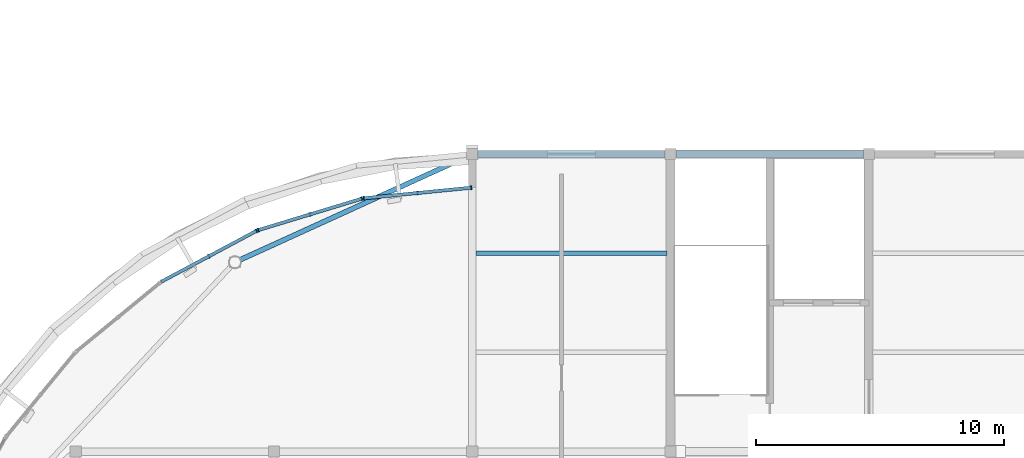
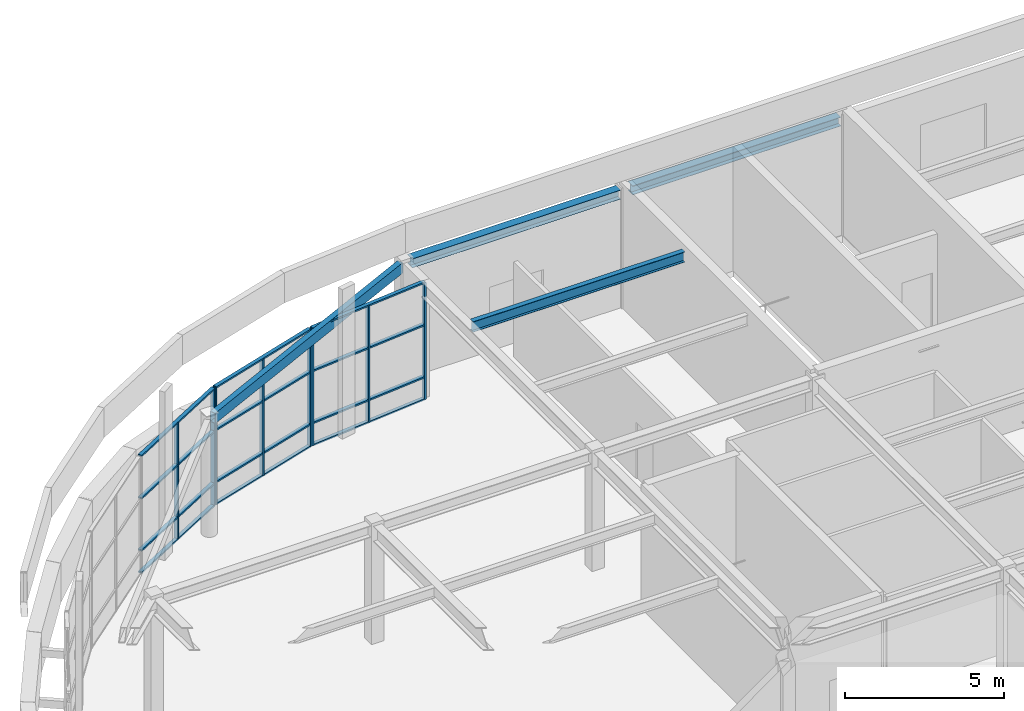
# One storey, part 19 of 63: 20 members, 4 beams, 3 elements without a shape of their own.
"""IFC4 building model written with IfcOpenShell, lengths in metres."""

from ifc_helpers import new_model, si_unit, direction, frame, origin, origin_2d, place, context, subcontext, project, spatial, rectangle, hollow_rectangle, i_section, extrude, material, layer, layer_set, material_profile, profile_set, type_object, element, aggregate, save


model = new_model("IFC4")

# Units and contexts
model_context = context("Model", 3, precision=1e-05, world=origin(), true_north=direction((0.0, 1.0)))
body_context = subcontext(model_context, "Body", "Model", "MODEL_VIEW")
ifc_project = project(units=[si_unit("LENGTHUNIT", "METRE"), si_unit("AREAUNIT", "SQUARE_METRE"), si_unit("VOLUMEUNIT", "CUBIC_METRE"), si_unit("PLANEANGLEUNIT", "RADIAN"), si_unit("MASSUNIT", "GRAM", prefix="KILO")], contexts=[model_context])

# Site, building, storey
site_placement = place(None, origin())
site = spatial("IfcSite", under=ifc_project, at=site_placement, CompositionType="ELEMENT")
building_placement = place(site_placement, origin())
building = spatial("IfcBuilding", under=site, at=building_placement, Name="Keelwater Ferry Terminal", CompositionType="ELEMENT")
storey_placement = place(building_placement, frame((0.0, 0.0, 10.199951171875)))
storey = spatial("IfcBuildingStorey", under=building, at=storey_placement, Name="L02", CompositionType="ELEMENT", Elevation=10.199951171875)

# Curtain wall, members
ifc_material_1 = material(Name="Thermally broken unitised aluminium and triple glass", Category="aluminium")
ifc_layer = layer(ifc_material_1, 0.179931640625)
ifc_layer_set = layer_set([ifc_layer], Name="Thermally broken unitised aluminium and triple glass")
curtain_wall_type = type_object("IfcCurtainWallType", Name="CW-18 Unitised Curtain Wall 4350x4480", PredefinedType="USERDEFINED", material=ifc_layer_set)
curtain_wall_1_placement = place(storey_placement, origin())
curtain_wall_1 = element("IfcCurtainWall", 1, at=curtain_wall_1_placement, inside=storey, type_object=curtain_wall_type, Name="Unitised Curtain Wall CW-L02-141", ObjectType="UNITISED CURTAIN WALL", PredefinedType="USERDEFINED")
ifc_material_2 = material(Name="Aluminium mullion", Category="aluminium")
ifc_material_profile_1 = material_profile(ifc_material_2, rectangle(XDim=0.06005859375, YDim=0.14990234375, at=origin_2d()), Name="CWM-03")
ifc_profile_set_1 = profile_set([ifc_material_profile_1], Name="Aluminium mullion")
member_type_1 = type_object("IfcMemberType", Name="CWM-03 Curtain Mullion 60x150", PredefinedType="MULLION", material=ifc_profile_set_1)
member_1_placement = place(storey_placement, frame((23.955078125, 88.64599609375, 0.0), z_axis=(0.0, 0.0, 1.0), x_axis=(-0.995170573079, -0.098160737969, 0.0)))
member_1 = element("IfcMember", 2, at=member_1_placement, type_object=member_type_1, Name="CW-L02-141 Mullion 1", PredefinedType="MULLION", context=body_context, shape_type="SweptSolid", body=[
    extrude(rectangle(XDim=0.06005859375, YDim=0.14990234375, at=origin_2d()), origin(), (0.0, 0.0, 1.0), 4.47998046875),
])
member_2_placement = place(storey_placement, frame((21.79052734375, 88.4326171875, 0.0), z_axis=(0.0, 0.0, 1.0), x_axis=(-0.995170573079, -0.098160737969, 0.0)))
member_2 = element("IfcMember", 3, at=member_2_placement, type_object=member_type_1, Name="CW-L02-141 Mullion 2", PredefinedType="MULLION", context=body_context, shape_type="SweptSolid", body=[
    extrude(rectangle(XDim=0.06005859375, YDim=0.14990234375, at=origin_2d()), origin(), (0.0, 0.0, 1.0), 4.47998046875),
])
member_3_placement = place(storey_placement, frame((19.6259765625, 88.218994140625, 0.0), z_axis=(0.0, 0.0, 1.0), x_axis=(-0.995170573079, -0.098160737969, 0.0)))
member_3 = element("IfcMember", 4, at=member_3_placement, type_object=member_type_1, Name="CW-L02-141 Mullion 3", PredefinedType="MULLION", context=body_context, shape_type="SweptSolid", body=[
    extrude(rectangle(XDim=0.06005859375, YDim=0.14990234375, at=origin_2d()), origin(), (0.0, 0.0, 1.0), 4.47998046875),
])

curtain_wall_2_placement = place(storey_placement, origin())
curtain_wall_2 = element("IfcCurtainWall", 5, at=curtain_wall_2_placement, inside=storey, type_object=curtain_wall_type, Name="Unitised Curtain Wall CW-L02-142", ObjectType="UNITISED CURTAIN WALL", PredefinedType="USERDEFINED")
member_4_placement = place(storey_placement, frame((19.5380859375, 88.201904296875, 0.0), z_axis=(0.0, 0.0, 1.0), x_axis=(-0.956929623319, -0.290319989003, 0.0)))
member_4 = element("IfcMember", 6, at=member_4_placement, type_object=member_type_1, Name="CW-L02-142 Mullion 1", PredefinedType="MULLION", context=body_context, shape_type="SweptSolid", body=[
    extrude(rectangle(XDim=0.06005859375, YDim=0.14990234375, at=origin_2d()), origin(), (0.0, 0.0, 1.0), 4.47998046875),
])
member_5_placement = place(storey_placement, frame((17.45654296875, 87.570556640625, 0.0), z_axis=(0.0, 0.0, 1.0), x_axis=(-0.956929623319, -0.290319989003, 0.0)))
member_5 = element("IfcMember", 7, at=member_5_placement, type_object=member_type_1, Name="CW-L02-142 Mullion 2", PredefinedType="MULLION", context=body_context, shape_type="SweptSolid", body=[
    extrude(rectangle(XDim=0.06005859375, YDim=0.14990234375, at=origin_2d()), origin(), (0.0, 0.0, 1.0), 4.47998046875),
])
member_6_placement = place(storey_placement, frame((15.375, 86.93896484375, 0.0), z_axis=(0.0, 0.0, 1.0), x_axis=(-0.956929623319, -0.290319989003, 0.0)))
member_6 = element("IfcMember", 8, at=member_6_placement, type_object=member_type_1, Name="CW-L02-142 Mullion 3", PredefinedType="MULLION", context=body_context, shape_type="SweptSolid", body=[
    extrude(rectangle(XDim=0.06005859375, YDim=0.14990234375, at=origin_2d()), origin(), (0.0, 0.0, 1.0), 4.47998046875),
])

curtain_wall_3_placement = place(storey_placement, origin())
curtain_wall_3 = element("IfcCurtainWall", 9, at=curtain_wall_3_placement, inside=storey, type_object=curtain_wall_type, Name="Unitised Curtain Wall CW-L02-143", ObjectType="UNITISED CURTAIN WALL", PredefinedType="USERDEFINED")
member_7_placement = place(storey_placement, frame((15.2919921875, 86.905029296875, 0.0), z_axis=(0.0, 0.0, 1.0), x_axis=(-0.881862452632, -0.471506749303, 0.0)))
member_7 = element("IfcMember", 10, at=member_7_placement, type_object=member_type_1, Name="CW-L02-143 Mullion 1", PredefinedType="MULLION", context=body_context, shape_type="SweptSolid", body=[
    extrude(rectangle(XDim=0.06005859375, YDim=0.14990234375, at=origin_2d()), origin(), (0.0, 0.0, 1.0), 4.47998046875),
])
member_8_placement = place(storey_placement, frame((13.3740234375, 85.87939453125, 0.0), z_axis=(0.0, 0.0, 1.0), x_axis=(-0.881862452632, -0.471506749303, 0.0)))
member_8 = element("IfcMember", 11, at=member_8_placement, type_object=member_type_1, Name="CW-L02-143 Mullion 2", PredefinedType="MULLION", context=body_context, shape_type="SweptSolid", body=[
    extrude(rectangle(XDim=0.06005859375, YDim=0.14990234375, at=origin_2d()), origin(), (0.0, 0.0, 1.0), 4.47998046875),
])

# Member
ifc_material_3 = material(Name="Aluminium mullion", Category="aluminium")
ifc_material_profile_2 = material_profile(ifc_material_3, rectangle(XDim=0.135009765625, YDim=0.06005859375, at=origin_2d()), Name="CWT-03")
ifc_profile_set_2 = profile_set([ifc_material_profile_2], Name="Aluminium mullion")
member_type_2 = type_object("IfcMemberType", Name="CWT-03 Curtain Transom 60x135", PredefinedType="USERDEFINED", material=ifc_profile_set_2)
member_9_placement = place(storey_placement, frame((23.955078125, 88.64599609375, 0.0), z_axis=(-0.995170754178, -0.098158901932, 0.0), x_axis=(0.098158901932, -0.995170754178, 0.0)))
member_9 = element("IfcMember", 12, at=member_9_placement, type_object=member_type_2, Name="CW-L02-141 Transom 1", ObjectType="TRANSOM", PredefinedType="USERDEFINED", context=body_context, shape_type="SweptSolid", body=[
    extrude(rectangle(XDim=0.135009765625, YDim=0.06005859375, at=origin_2d()), origin(), (0.0, 0.0, 1.0), 4.35009765625),
])

member_10_placement = place(storey_placement, frame((23.955078125, 88.64599609375, 0.85009765625), z_axis=(-0.995170754178, -0.098158901932, 0.0), x_axis=(0.098158901932, -0.995170754178, 0.0)))
member_10 = element("IfcMember", 13, at=member_10_placement, type_object=member_type_2, Name="CW-L02-141 Transom 2", ObjectType="TRANSOM", PredefinedType="USERDEFINED", context=body_context, shape_type="SweptSolid", body=[
    extrude(rectangle(XDim=0.135009765625, YDim=0.06005859375, at=origin_2d()), origin(), (0.0, 0.0, 1.0), 4.35009765625),
])

member_11_placement = place(storey_placement, frame((23.955078125, 88.64599609375, 2.85009765625), z_axis=(-0.995170754178, -0.098158901932, 0.0), x_axis=(0.098158901932, -0.995170754178, 0.0)))
member_11 = element("IfcMember", 14, at=member_11_placement, type_object=member_type_2, Name="CW-L02-141 Transom 3", ObjectType="TRANSOM", PredefinedType="USERDEFINED", context=body_context, shape_type="SweptSolid", body=[
    extrude(rectangle(XDim=0.135009765625, YDim=0.06005859375, at=origin_2d()), origin(), (0.0, 0.0, 1.0), 4.35009765625),
])

member_12_placement = place(storey_placement, frame((23.955078125, 88.64599609375, 4.47998046875), z_axis=(-0.995170754178, -0.098158901932, 0.0), x_axis=(0.098158901932, -0.995170754178, 0.0)))
member_12 = element("IfcMember", 15, at=member_12_placement, type_object=member_type_2, Name="CW-L02-141 Transom 4", ObjectType="TRANSOM", PredefinedType="USERDEFINED", context=body_context, shape_type="SweptSolid", body=[
    extrude(rectangle(XDim=0.135009765625, YDim=0.06005859375, at=origin_2d()), origin(), (0.0, 0.0, 1.0), 4.35009765625),
])

aggregate(curtain_wall_1, [member_1, member_2, member_3, member_9, member_10, member_11, member_12])

member_13_placement = place(storey_placement, frame((19.5380859375, 88.201904296875, 0.0), z_axis=(-0.956935154583, -0.290301756665, 0.0), x_axis=(0.290301756665, -0.956935154583, 0.0)))
member_13 = element("IfcMember", 16, at=member_13_placement, type_object=member_type_2, Name="CW-L02-142 Transom 1", ObjectType="TRANSOM", PredefinedType="USERDEFINED", context=body_context, shape_type="SweptSolid", body=[
    extrude(rectangle(XDim=0.135009765625, YDim=0.06005859375, at=origin_2d()), origin(), (0.0, 0.0, 1.0), 4.350341796875),
])

member_14_placement = place(storey_placement, frame((19.5380859375, 88.201904296875, 0.85009765625), z_axis=(-0.956935154583, -0.290301756665, 0.0), x_axis=(0.290301756665, -0.956935154583, 0.0)))
member_14 = element("IfcMember", 17, at=member_14_placement, type_object=member_type_2, Name="CW-L02-142 Transom 2", ObjectType="TRANSOM", PredefinedType="USERDEFINED", context=body_context, shape_type="SweptSolid", body=[
    extrude(rectangle(XDim=0.135009765625, YDim=0.06005859375, at=origin_2d()), origin(), (0.0, 0.0, 1.0), 4.350341796875),
])

member_15_placement = place(storey_placement, frame((19.5380859375, 88.201904296875, 2.85009765625), z_axis=(-0.956935154583, -0.290301756665, 0.0), x_axis=(0.290301756665, -0.956935154583, 0.0)))
member_15 = element("IfcMember", 18, at=member_15_placement, type_object=member_type_2, Name="CW-L02-142 Transom 3", ObjectType="TRANSOM", PredefinedType="USERDEFINED", context=body_context, shape_type="SweptSolid", body=[
    extrude(rectangle(XDim=0.135009765625, YDim=0.06005859375, at=origin_2d()), origin(), (0.0, 0.0, 1.0), 4.350341796875),
])

member_16_placement = place(storey_placement, frame((19.5380859375, 88.201904296875, 4.47998046875), z_axis=(-0.956935154583, -0.290301756665, 0.0), x_axis=(0.290301756665, -0.956935154583, 0.0)))
member_16 = element("IfcMember", 19, at=member_16_placement, type_object=member_type_2, Name="CW-L02-142 Transom 4", ObjectType="TRANSOM", PredefinedType="USERDEFINED", context=body_context, shape_type="SweptSolid", body=[
    extrude(rectangle(XDim=0.135009765625, YDim=0.06005859375, at=origin_2d()), origin(), (0.0, 0.0, 1.0), 4.350341796875),
])

aggregate(curtain_wall_2, [member_4, member_5, member_6, member_13, member_14, member_15, member_16])

member_17_placement = place(storey_placement, frame((15.2919921875, 86.905029296875, 0.0), z_axis=(-0.881856831112, -0.471517263122, 0.0), x_axis=(0.471517263122, -0.881856831112, 0.0)))
member_17 = element("IfcMember", 20, at=member_17_placement, type_object=member_type_2, Name="CW-L02-143 Transom 1", ObjectType="TRANSOM", PredefinedType="USERDEFINED", context=body_context, shape_type="SweptSolid", body=[
    extrude(rectangle(XDim=0.135009765625, YDim=0.06005859375, at=origin_2d()), origin(), (0.0, 0.0, 1.0), 4.349853515625),
])

member_18_placement = place(storey_placement, frame((15.2919921875, 86.905029296875, 0.85009765625), z_axis=(-0.881856831112, -0.471517263122, 0.0), x_axis=(0.471517263122, -0.881856831112, 0.0)))
member_18 = element("IfcMember", 21, at=member_18_placement, type_object=member_type_2, Name="CW-L02-143 Transom 2", ObjectType="TRANSOM", PredefinedType="USERDEFINED", context=body_context, shape_type="SweptSolid", body=[
    extrude(rectangle(XDim=0.135009765625, YDim=0.06005859375, at=origin_2d()), origin(), (0.0, 0.0, 1.0), 4.349853515625),
])

member_19_placement = place(storey_placement, frame((15.2919921875, 86.905029296875, 2.85009765625), z_axis=(-0.881856831112, -0.471517263122, 0.0), x_axis=(0.471517263122, -0.881856831112, 0.0)))
member_19 = element("IfcMember", 22, at=member_19_placement, type_object=member_type_2, Name="CW-L02-143 Transom 3", ObjectType="TRANSOM", PredefinedType="USERDEFINED", context=body_context, shape_type="SweptSolid", body=[
    extrude(rectangle(XDim=0.135009765625, YDim=0.06005859375, at=origin_2d()), origin(), (0.0, 0.0, 1.0), 4.349853515625),
])

member_20_placement = place(storey_placement, frame((15.2919921875, 86.905029296875, 4.47998046875), z_axis=(-0.881856831112, -0.471517263122, 0.0), x_axis=(0.471517263122, -0.881856831112, 0.0)))
member_20 = element("IfcMember", 23, at=member_20_placement, type_object=member_type_2, Name="CW-L02-143 Transom 4", ObjectType="TRANSOM", PredefinedType="USERDEFINED", context=body_context, shape_type="SweptSolid", body=[
    extrude(rectangle(XDim=0.135009765625, YDim=0.06005859375, at=origin_2d()), origin(), (0.0, 0.0, 1.0), 4.349853515625),
])

aggregate(curtain_wall_3, [member_7, member_8, member_17, member_18, member_19, member_20])

# Beams
ifc_material_4 = material(Name="Steel S355", Category="steel")
ifc_material_profile_3 = material_profile(ifc_material_4, i_section(OverallWidth=0.179931640625, OverallDepth=0.39990234375, WebThickness=0.008544921875, FlangeThickness=0.013427734375, at=origin_2d()), Name="IPE 400")
ifc_profile_set_3 = profile_set([ifc_material_profile_3], Name="Steel S355")
beam_type_1 = type_object("IfcBeamType", Name="J5 IPE 400", PredefinedType="JOIST", material=ifc_profile_set_3)
beam_1_placement = place(storey_placement, frame((24.14990234375, 86.0, 4.320068359375), z_axis=(1.0, 0.0, 0.0), x_axis=(0.0, 1.0, 0.0)))
element("IfcBeam", 24, at=beam_1_placement, inside=storey, type_object=beam_type_1, Name="Beam BM-L02-1161", PredefinedType="JOIST", context=body_context, shape_type="SweptSolid", body=[
    extrude(i_section(OverallWidth=0.179931640625, OverallDepth=0.39990234375, WebThickness=0.008544921875, FlangeThickness=0.013427734375, at=origin_2d()), origin(), (0.0, 0.0, 1.0), 7.7001953125),
])
ifc_material_5 = material(Name="Steel S355", Category="steel")
ifc_material_profile_4 = material_profile(ifc_material_5, i_section(OverallWidth=0.300048828125, OverallDepth=0.35009765625, WebThickness=0.010009765625, FlangeThickness=0.017578125, at=origin_2d()), Name="HEA 360")
ifc_profile_set_4 = profile_set([ifc_material_profile_4], Name="Steel S355")
beam_type_2 = type_object("IfcBeamType", Name="SP1E HEA 360", PredefinedType="SPANDREL", material=ifc_profile_set_4)
for number, where, z_axis, x_axis, name in (
    (25, (24.219970703125, 90.0, 4.344970703125), (1.0, 0.0, 0.0), (0.0, 1.0, 0.0), "Beam BM-L02-1029"),
    (26, (32.219970703125, 90.0, 4.344970703125), (1.0, 0.0, 0.0), (0.0, 1.0, 0.0), "Beam BM-L02-1030"),
):
    element("IfcBeam", number, at=place(storey_placement, frame(where, z_axis=z_axis, x_axis=x_axis)), inside=storey, type_object=beam_type_2, Name=name, PredefinedType="SPANDREL", context=body_context, shape_type="SweptSolid", body=[
        extrude(i_section(OverallWidth=0.300048828125, OverallDepth=0.35009765625, WebThickness=0.010009765625, FlangeThickness=0.017578125, at=origin_2d()), origin(), (0.0, 0.0, 1.0), 7.56005859375),
    ])
ifc_material_6 = material(Name="Steel S355", Category="steel")
ifc_material_profile_5 = material_profile(ifc_material_6, hollow_rectangle(XDim=0.199951171875, YDim=0.39990234375, WallThickness=0.01611328125, at=origin_2d()), Name="RHS 400x200x16")
ifc_profile_set_5 = profile_set([ifc_material_profile_5], Name="Steel S355")
beam_type_3 = type_object("IfcBeamType", Name="SP3E RHS 400x200x16", PredefinedType="SPANDREL", material=ifc_profile_set_5)
beam_2_placement = place(storey_placement, frame((23.826904296875, 89.9208984375, 4.320068359375), z_axis=(-0.910123163328, -0.414337818181, 0.0), x_axis=(0.414337818181, -0.910123163328, 0.0)))
element("IfcBeam", 27, at=beam_2_placement, inside=storey, type_object=beam_type_3, Name="Beam BM-L02-1265", PredefinedType="SPANDREL", context=body_context, shape_type="SweptSolid", body=[
    extrude(hollow_rectangle(XDim=0.199951171875, YDim=0.39990234375, WallThickness=0.01611328125, at=origin_2d()), origin(), (0.0, 0.0, 1.0), 10.1435546875),
])

save(model, "model.ifc")
